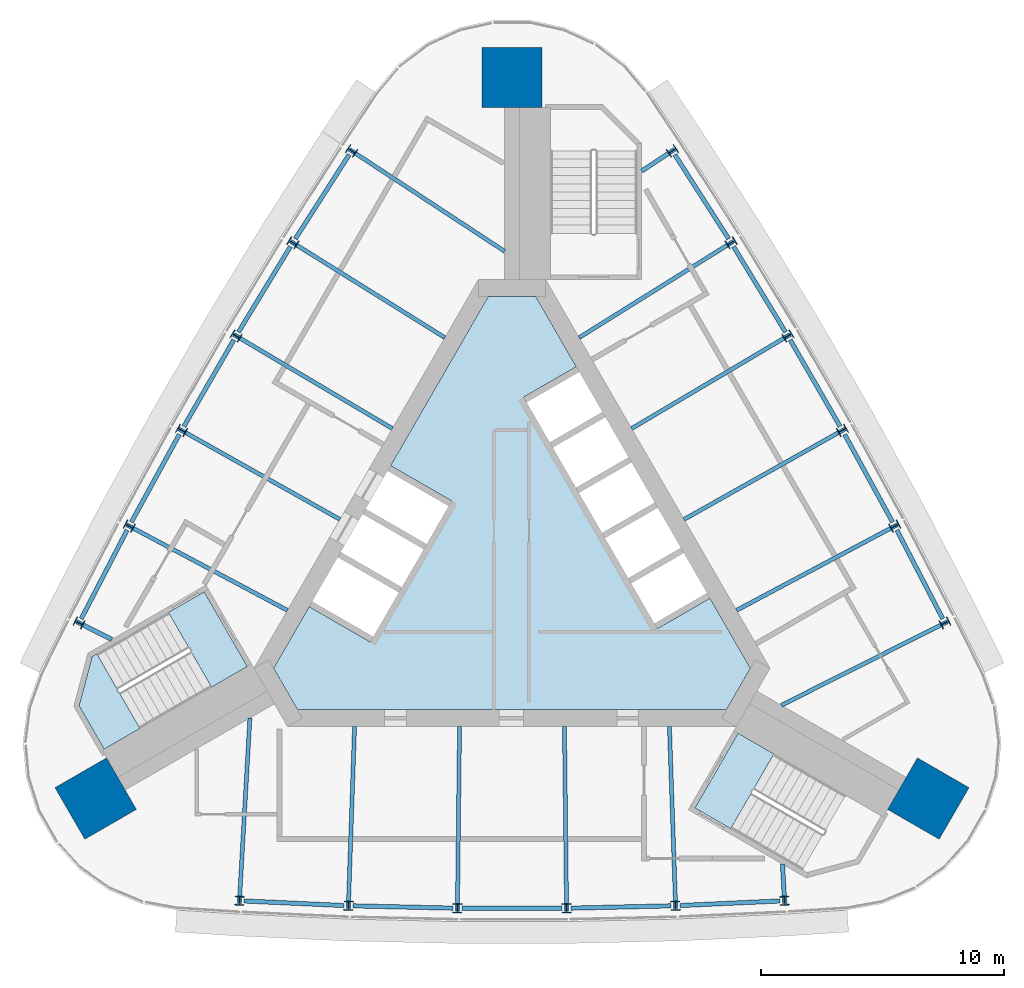
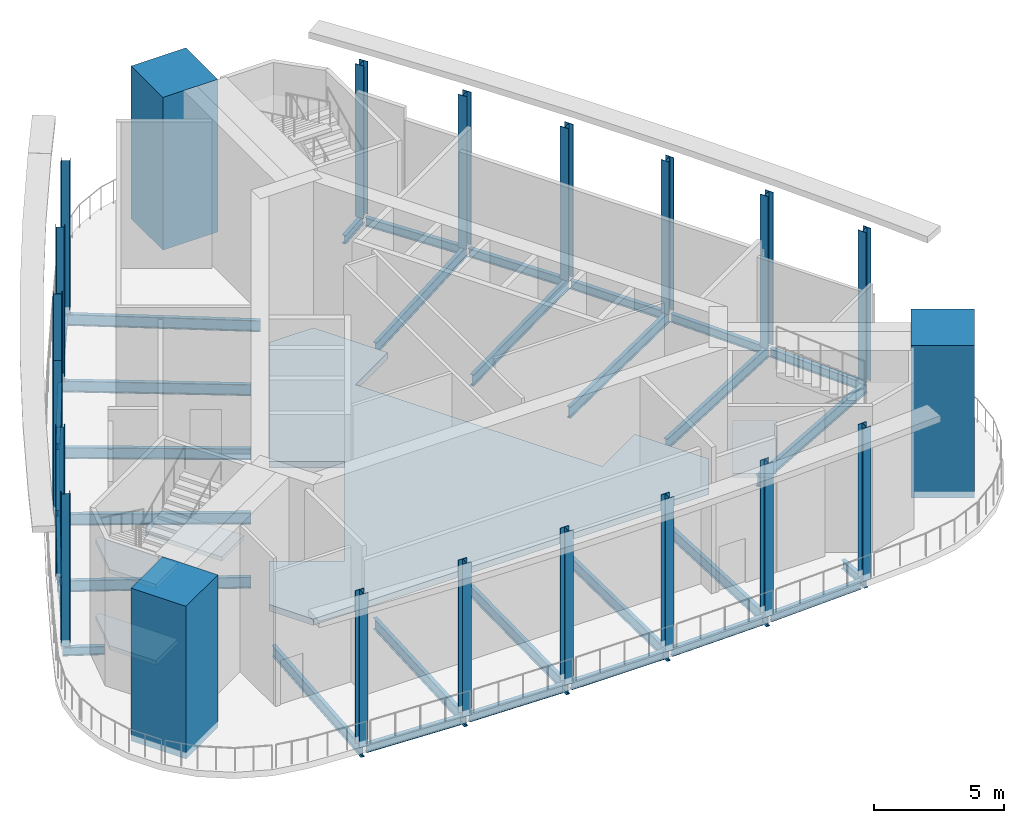
# One storey, part 1 of 7: 33 beams, 21 columns, 5 slabs, 2 elements without a shape of their own.
"""IFC4 building model written with IfcOpenShell, lengths in metres."""

from ifc_helpers import new_model, si_unit, direction, frame, origin, origin_2d, place, context, subcontext, project, spatial, polyline, rectangle, i_section, outline, extrude, material, layer, layer_set, material_profile, profile_set, type_object, element, aggregate, save


model = new_model("IFC4")

# Units and contexts
model_context = context("Model", 3, precision=1e-05, world=origin(), true_north=direction((0.0, 1.0)))
body_context = subcontext(model_context, "Body", "Model", "MODEL_VIEW")
ifc_project = project(units=[si_unit("LENGTHUNIT", "METRE"), si_unit("AREAUNIT", "SQUARE_METRE"), si_unit("VOLUMEUNIT", "CUBIC_METRE"), si_unit("PLANEANGLEUNIT", "RADIAN"), si_unit("MASSUNIT", "GRAM", prefix="KILO")], contexts=[model_context])

# Site, building, storey
site_placement = place(None, origin())
site = spatial("IfcSite", under=ifc_project, at=site_placement, CompositionType="ELEMENT")
building_placement = place(site_placement, origin())
building = spatial("IfcBuilding", under=site, at=building_placement, Name="Noor Cloister Tower", CompositionType="ELEMENT")
storey_placement = place(building_placement, frame((0.0, 0.0, 250.800048828125)))
storey = spatial("IfcBuildingStorey", under=building, at=storey_placement, Name="L65", CompositionType="ELEMENT", Elevation=250.800048828125)

# Columns
ifc_material_1 = material(Name="Steel ASTM A992 Gr 50", Category="steel")
ifc_material_profile_1 = material_profile(ifc_material_1, i_section(OverallWidth=0.373046875, OverallDepth=0.367919921875, WebThickness=0.014892578125, FlangeThickness=0.02392578125, FilletRadius=0.01513671875, at=origin_2d()), Name="W360x179")
ifc_profile_set_1 = profile_set([ifc_material_profile_1], Name="Steel ASTM A992 Gr 50")
column_type_1 = type_object("IfcColumnType", Name="Column W360x179", PredefinedType="COLUMN", material=ifc_profile_set_1)
for number, where, z_axis, x_axis, name in (
    (1, (-6.597412109375, 16.755859375, -0.300048828125), (0.0, 0.0, 1.0), (-0.5487897446, -0.835960415464, 0.0), "Column NW 01 L65"),
    (2, (-9.016845703125, 12.976806640625, -0.300048828125), (0.0, 0.0, 1.0), (-0.529481289862, -0.848321615713, 0.0), "Column NW 02 L65"),
    (3, (-11.348876953125, 9.14306640625, -0.300048828125), (0.0, 0.0, 1.0), (-0.509894531432, -0.860236924815, 0.0), "Column NW 03 L65"),
    (4, (-13.592529296875, 5.2568359375, -0.300048828125), (0.0, 0.0, 1.0), (-0.490039764448, -0.871700079878, 0.0), "Column NW 04 L65"),
    (5, (-15.74658203125, 1.3203125, -0.300048828125), (0.0, 0.0, 1.0), (-0.469927424856, -0.882705055705, 0.0), "Column NW 05 L65"),
    (6, (-17.809814453125, -2.66455078125, -0.300048828125), (0.0, 0.0, 1.0), (-0.44956808405, -0.893246067892, 0.0), "Column NW 06 L65"),
    (7, (-11.21240234375, -14.091552734375, -0.300048828125), (0.0, 0.0, 1.0), (0.99835782865, -0.057285652428, 0.0), "Column S 01 L65"),
    (8, (-6.729736328125, -14.297119140625, -0.300048828125), (0.0, 0.0, 1.0), (0.999408714718, -0.034383439992, 0.0), "Column S 02 L65"),
    (9, (-2.24365234375, -14.39990234375, -0.300048828125), (0.0, 0.0, 1.0), (0.999934295879, -0.011463155063, 0.0), "Column S 03 L65"),
    (10, (2.24365234375, -14.39990234375, -0.300048828125), (0.0, 0.0, 1.0), (0.999934295879, 0.011463155063, 0.0), "Column S 04 L65"),
    (11, (6.729736328125, -14.297119140625, -0.300048828125), (0.0, 0.0, 1.0), (0.999408714718, 0.034383439992, 0.0), "Column S 05 L65"),
    (12, (11.21240234375, -14.091552734375, -0.300048828125), (0.0, 0.0, 1.0), (0.99835782865, 0.057285652428, 0.0), "Column S 06 L65"),
    (13, (17.809814453125, -2.66455078125, -0.300048828125), (0.0, 0.0, 1.0), (-0.44956808405, 0.893246067892, 0.0), "Column NE 01 L65"),
    (14, (15.74658203125, 1.3203125, -0.300048828125), (0.0, 0.0, 1.0), (-0.469927424856, 0.882705055705, 0.0), "Column NE 02 L65"),
    (15, (13.592529296875, 5.2568359375, -0.300048828125), (0.0, 0.0, 1.0), (-0.490039764448, 0.871700079878, 0.0), "Column NE 03 L65"),
    (16, (11.348876953125, 9.14306640625, -0.300048828125), (0.0, 0.0, 1.0), (-0.509894531432, 0.860236924815, 0.0), "Column NE 04 L65"),
    (17, (9.016845703125, 12.976806640625, -0.300048828125), (0.0, 0.0, 1.0), (-0.529481289862, 0.848321615713, 0.0), "Column NE 05 L65"),
    (18, (6.597412109375, 16.755859375, -0.300048828125), (0.0, 0.0, 1.0), (-0.5487897446, 0.835960415464, 0.0), "Column NE 06 L65"),
):
    element("IfcColumn", number, at=place(storey_placement, frame(where, z_axis=z_axis, x_axis=x_axis)), inside=storey, type_object=column_type_1, Name=name, PredefinedType="COLUMN", context=body_context, shape_type="SweptSolid", body=[
        extrude(i_section(OverallWidth=0.373046875, OverallDepth=0.367919921875, WebThickness=0.014892578125, FlangeThickness=0.02392578125, FilletRadius=0.01513671875, at=origin_2d()), origin(), (0.0, 0.0, 1.0), 7.199951171875),
    ])
ifc_material_2 = material(Name="Concrete C60/75", Category="concrete")
ifc_material_profile_2 = material_profile(ifc_material_2, rectangle(XDim=2.449951171875, YDim=2.449951171875, at=origin_2d()), Name="RC 2450x2450")
ifc_profile_set_2 = profile_set([ifc_material_profile_2], Name="Concrete C60/75")
column_type_2 = type_object("IfcColumnType", Name="Corner pier 2450 x 2450 C60/75", PredefinedType="COLUMN", material=ifc_profile_set_2)
for number, where, z_axis, x_axis, name in (
    (19, (0.0, 19.77490234375, -0.300048828125), (0.0, 0.0, 1.0), (0.0, 1.0, 0.0), "Corner pier N L65"),
    (20, (-17.125732421875, -9.887451171875, -0.300048828125), (0.0, 0.0, 1.0), (-0.866025403784, -0.5, 0.0), "Corner pier SW L65"),
    (21, (17.125732421875, -9.887451171875, -0.300048828125), (0.0, 0.0, 1.0), (0.866025403784, -0.5, 0.0), "Corner pier SE L65"),
):
    element("IfcColumn", number, at=place(storey_placement, frame(where, z_axis=z_axis, x_axis=x_axis)), inside=storey, type_object=column_type_2, Name=name, PredefinedType="COLUMN", context=body_context, shape_type="SweptSolid", body=[
        extrude(rectangle(XDim=2.449951171875, YDim=2.449951171875, at=origin_2d()), origin(), (0.0, 0.0, 1.0), 7.199951171875),
    ])

# Beams
ifc_material_3 = material(Name="Steel ASTM A992 Gr 50", Category="steel")
ifc_material_profile_3 = material_profile(ifc_material_3, i_section(OverallWidth=0.177978515625, OverallDepth=0.406005859375, WebThickness=0.0078125, FlangeThickness=0.0126953125, FilletRadius=0.01025390625, at=origin_2d()), Name="W410x60")
ifc_profile_set_3 = profile_set([ifc_material_profile_3], Name="Steel ASTM A992 Gr 50")
beam_type_1 = type_object("IfcBeamType", Name="Radial beam W410x60", PredefinedType="BEAM", material=ifc_profile_set_3)
for number, where, z_axis, x_axis, name in (
    (22, (-17.913330078125, -2.6123046875, -0.5029296875), (0.893252544543, -0.449555215372, 0.0), (0.449555215372, 0.893252544543, 0.0), "Radial beam NW 06 L65"),
    (23, (11.218994140625, -14.207275390625, -0.5029296875), (-0.057225162394, 0.998361297722, 0.0), (-0.998361297722, -0.057225162394, 0.0), "Radial beam S 06 L65"),
):
    element("IfcBeam", number, at=place(storey_placement, frame(where, z_axis=z_axis, x_axis=x_axis)), inside=storey, type_object=beam_type_1, Name=name, PredefinedType="BEAM", context=body_context, shape_type="SweptSolid", body=[
        extrude(i_section(OverallWidth=0.177978515625, OverallDepth=0.406005859375, WebThickness=0.0078125, FlangeThickness=0.0126953125, FilletRadius=0.01025390625, at=origin_2d()), origin(), (0.0, 0.0, 1.0), 1.62548828125),
    ])
beam_1_placement = place(storey_placement, frame((6.6943359375, 16.819580078125, -0.5029296875), z_axis=(-0.835912235929, -0.548863128497, 0.0), x_axis=(0.548863128497, -0.835912235929, 0.0)))
element("IfcBeam", 24, at=beam_1_placement, inside=storey, type_object=beam_type_1, Name="Radial beam NE 06 L65", PredefinedType="BEAM", context=body_context, shape_type="SweptSolid", body=[
    extrude(i_section(OverallWidth=0.177978515625, OverallDepth=0.406005859375, WebThickness=0.0078125, FlangeThickness=0.0126953125, FilletRadius=0.01025390625, at=origin_2d()), origin(), (0.0, 0.0, 1.0), 1.625244140625),
])
ifc_material_4 = material(Name="Steel ASTM A992 Gr 50", Category="steel")
ifc_material_profile_4 = material_profile(ifc_material_4, i_section(OverallWidth=0.166015625, OverallDepth=0.528076171875, WebThickness=0.009765625, FlangeThickness=0.013671875, FilletRadius=0.0126953125, at=origin_2d()), Name="W530x74")
ifc_profile_set_4 = profile_set([ifc_material_profile_4], Name="Steel ASTM A992 Gr 50")
beam_type_2 = type_object("IfcBeamType", Name="Radial beam W530x74", PredefinedType="BEAM", material=ifc_profile_set_4)
beam_2_placement = place(storey_placement, frame((-6.6943359375, 16.819580078125, -0.56396484375), z_axis=(0.835957767318, -0.548793778446, 0.0), x_axis=(0.548793778446, 0.835957767318, 0.0)))
element("IfcBeam", 25, at=beam_2_placement, inside=storey, type_object=beam_type_2, Name="Radial beam NW 01 L65", PredefinedType="BEAM", context=body_context, shape_type="SweptSolid", body=[
    extrude(i_section(OverallWidth=0.166015625, OverallDepth=0.528076171875, WebThickness=0.009765625, FlangeThickness=0.013671875, FilletRadius=0.0126953125, at=origin_2d()), origin(), (0.0, 0.0, 1.0), 7.649169921875),
])
beam_3_placement = place(storey_placement, frame((-9.115234375, 13.0380859375, -0.56396484375), z_axis=(0.848325964039, -0.529474323019, 0.0), x_axis=(0.529474323019, 0.848325964039, 0.0)))
element("IfcBeam", 26, at=beam_3_placement, inside=storey, type_object=beam_type_2, Name="Radial beam NW 02 L65", PredefinedType="BEAM", context=body_context, shape_type="SweptSolid", body=[
    extrude(i_section(OverallWidth=0.166015625, OverallDepth=0.528076171875, WebThickness=0.009765625, FlangeThickness=0.013671875, FilletRadius=0.0126953125, at=origin_2d()), origin(), (0.0, 0.0, 1.0), 7.4892578125),
])
beam_4_placement = place(storey_placement, frame((-11.44873046875, 9.2021484375, -0.56396484375), z_axis=(0.860245540502, -0.509879995732, 0.0), x_axis=(0.509879995732, 0.860245540502, 0.0)))
element("IfcBeam", 27, at=beam_4_placement, inside=storey, type_object=beam_type_2, Name="Radial beam NW 03 L65", PredefinedType="BEAM", context=body_context, shape_type="SweptSolid", body=[
    extrude(i_section(OverallWidth=0.166015625, OverallDepth=0.528076171875, WebThickness=0.009765625, FlangeThickness=0.013671875, FilletRadius=0.0126953125, at=origin_2d()), origin(), (0.0, 0.0, 1.0), 7.58837890625),
])
beam_5_placement = place(storey_placement, frame((-13.693603515625, 5.313720703125, -0.56396484375), z_axis=(0.871696665139, -0.490045838657, 0.0), x_axis=(0.490045838657, 0.871696665139, 0.0)))
element("IfcBeam", 28, at=beam_5_placement, inside=storey, type_object=beam_type_2, Name="Radial beam NW 04 L65", PredefinedType="BEAM", context=body_context, shape_type="SweptSolid", body=[
    extrude(i_section(OverallWidth=0.166015625, OverallDepth=0.528076171875, WebThickness=0.009765625, FlangeThickness=0.013671875, FilletRadius=0.0126953125, at=origin_2d()), origin(), (0.0, 0.0, 1.0), 7.588134765625),
])
beam_6_placement = place(storey_placement, frame((-15.848876953125, 1.375, -0.56396484375), z_axis=(0.882699214966, -0.469938395855, 0.0), x_axis=(0.469938395855, 0.882699214966, 0.0)))
element("IfcBeam", 29, at=beam_6_placement, inside=storey, type_object=beam_type_2, Name="Radial beam NW 05 L65", PredefinedType="BEAM", context=body_context, shape_type="SweptSolid", body=[
    extrude(i_section(OverallWidth=0.166015625, OverallDepth=0.528076171875, WebThickness=0.009765625, FlangeThickness=0.013671875, FilletRadius=0.0126953125, at=origin_2d()), origin(), (0.0, 0.0, 1.0), 7.4892578125),
])
beam_7_placement = place(storey_placement, frame((-11.218994140625, -14.207275390625, -0.56396484375), z_axis=(0.057292483736, 0.998357436646, 0.0), x_axis=(-0.998357436646, 0.057292483736, 0.0)))
element("IfcBeam", 30, at=beam_7_placement, inside=storey, type_object=beam_type_2, Name="Radial beam S 01 L65", PredefinedType="BEAM", context=body_context, shape_type="SweptSolid", body=[
    extrude(i_section(OverallWidth=0.166015625, OverallDepth=0.528076171875, WebThickness=0.009765625, FlangeThickness=0.013671875, FilletRadius=0.0126953125, at=origin_2d()), origin(), (0.0, 0.0, 1.0), 7.64892578125),
])
beam_8_placement = place(storey_placement, frame((-6.733642578125, -14.4130859375, -0.56396484375), z_axis=(0.034358982056, 0.999409555864, 0.0), x_axis=(-0.999409555864, 0.034358982056, 0.0)))
element("IfcBeam", 31, at=beam_8_placement, inside=storey, type_object=beam_type_2, Name="Radial beam S 02 L65", PredefinedType="BEAM", context=body_context, shape_type="SweptSolid", body=[
    extrude(i_section(OverallWidth=0.166015625, OverallDepth=0.528076171875, WebThickness=0.009765625, FlangeThickness=0.013671875, FilletRadius=0.0126953125, at=origin_2d()), origin(), (0.0, 0.0, 1.0), 7.4892578125),
])
for number, where, z_axis, x_axis, name in (
    (32, (-2.244873046875, -14.51611328125, -0.56396484375), (0.011453560118, 0.999934405829, 0.0), (-0.999934405829, 0.011453560118, 0.0), "Radial beam S 03 L65"),
    (33, (2.244873046875, -14.51611328125, -0.56396484375), (-0.011453560118, 0.999934405829, 0.0), (-0.999934405829, -0.011453560118, 0.0), "Radial beam S 04 L65"),
):
    element("IfcBeam", number, at=place(storey_placement, frame(where, z_axis=z_axis, x_axis=x_axis)), inside=storey, type_object=beam_type_2, Name=name, PredefinedType="BEAM", context=body_context, shape_type="SweptSolid", body=[
        extrude(i_section(OverallWidth=0.166015625, OverallDepth=0.528076171875, WebThickness=0.009765625, FlangeThickness=0.013671875, FilletRadius=0.0126953125, at=origin_2d()), origin(), (0.0, 0.0, 1.0), 7.58837890625),
    ])
beam_9_placement = place(storey_placement, frame((6.733642578125, -14.4130859375, -0.56396484375), z_axis=(-0.034358982056, 0.999409555864, 0.0), x_axis=(-0.999409555864, -0.034358982056, 0.0)))
element("IfcBeam", 34, at=beam_9_placement, inside=storey, type_object=beam_type_2, Name="Radial beam S 05 L65", PredefinedType="BEAM", context=body_context, shape_type="SweptSolid", body=[
    extrude(i_section(OverallWidth=0.166015625, OverallDepth=0.528076171875, WebThickness=0.009765625, FlangeThickness=0.013671875, FilletRadius=0.0126953125, at=origin_2d()), origin(), (0.0, 0.0, 1.0), 7.4892578125),
])
beam_10_placement = place(storey_placement, frame((17.913330078125, -2.6123046875, -0.56396484375), z_axis=(-0.893249533682, -0.44956119781, 0.0), x_axis=(0.44956119781, -0.893249533682, 0.0)))
element("IfcBeam", 35, at=beam_10_placement, inside=storey, type_object=beam_type_2, Name="Radial beam NE 01 L65", PredefinedType="BEAM", context=body_context, shape_type="SweptSolid", body=[
    extrude(i_section(OverallWidth=0.166015625, OverallDepth=0.528076171875, WebThickness=0.009765625, FlangeThickness=0.013671875, FilletRadius=0.0126953125, at=origin_2d()), origin(), (0.0, 0.0, 1.0), 7.649169921875),
])
beam_11_placement = place(storey_placement, frame((15.848876953125, 1.375, -0.56396484375), z_axis=(-0.882699214966, -0.469938395855, 0.0), x_axis=(0.469938395855, -0.882699214966, 0.0)))
element("IfcBeam", 36, at=beam_11_placement, inside=storey, type_object=beam_type_2, Name="Radial beam NE 02 L65", PredefinedType="BEAM", context=body_context, shape_type="SweptSolid", body=[
    extrude(i_section(OverallWidth=0.166015625, OverallDepth=0.528076171875, WebThickness=0.009765625, FlangeThickness=0.013671875, FilletRadius=0.0126953125, at=origin_2d()), origin(), (0.0, 0.0, 1.0), 7.4892578125),
])
beam_12_placement = place(storey_placement, frame((13.693603515625, 5.313720703125, -0.56396484375), z_axis=(-0.871696665139, -0.490045838657, 0.0), x_axis=(0.490045838657, -0.871696665139, 0.0)))
element("IfcBeam", 37, at=beam_12_placement, inside=storey, type_object=beam_type_2, Name="Radial beam NE 03 L65", PredefinedType="BEAM", context=body_context, shape_type="SweptSolid", body=[
    extrude(i_section(OverallWidth=0.166015625, OverallDepth=0.528076171875, WebThickness=0.009765625, FlangeThickness=0.013671875, FilletRadius=0.0126953125, at=origin_2d()), origin(), (0.0, 0.0, 1.0), 7.588134765625),
])
beam_13_placement = place(storey_placement, frame((11.44873046875, 9.2021484375, -0.56396484375), z_axis=(-0.860245540502, -0.509879995732, 0.0), x_axis=(0.509879995732, -0.860245540502, 0.0)))
element("IfcBeam", 38, at=beam_13_placement, inside=storey, type_object=beam_type_2, Name="Radial beam NE 04 L65", PredefinedType="BEAM", context=body_context, shape_type="SweptSolid", body=[
    extrude(i_section(OverallWidth=0.166015625, OverallDepth=0.528076171875, WebThickness=0.009765625, FlangeThickness=0.013671875, FilletRadius=0.0126953125, at=origin_2d()), origin(), (0.0, 0.0, 1.0), 7.58837890625),
])
beam_14_placement = place(storey_placement, frame((9.115234375, 13.0380859375, -0.56396484375), z_axis=(-0.848325964039, -0.529474323019, 0.0), x_axis=(0.529474323019, -0.848325964039, 0.0)))
element("IfcBeam", 39, at=beam_14_placement, inside=storey, type_object=beam_type_2, Name="Radial beam NE 05 L65", PredefinedType="BEAM", context=body_context, shape_type="SweptSolid", body=[
    extrude(i_section(OverallWidth=0.166015625, OverallDepth=0.528076171875, WebThickness=0.009765625, FlangeThickness=0.013671875, FilletRadius=0.0126953125, at=origin_2d()), origin(), (0.0, 0.0, 1.0), 7.4892578125),
])
ifc_material_5 = material(Name="Steel ASTM A992 Gr 50", Category="steel")
ifc_material_profile_5 = material_profile(ifc_material_5, i_section(OverallWidth=0.177978515625, OverallDepth=0.406005859375, WebThickness=0.0078125, FlangeThickness=0.0126953125, FilletRadius=0.01025390625, at=origin_2d()), Name="W410x60")
ifc_profile_set_5 = profile_set([ifc_material_profile_5], Name="Steel ASTM A992 Gr 50")
beam_type_3 = type_object("IfcBeamType", Name="Spandrel beam W410x60", PredefinedType="SPANDREL", material=ifc_profile_set_5)
for number, where, z_axis, x_axis, name in (
    (40, (-6.697998046875, 16.598876953125, -0.5029296875), (-0.539158091967, -0.842204578393, 0.0), (0.842204578393, -0.539158091967, 0.0), "Spandrel beam NW 01 L65"),
    (41, (-9.11376953125, 12.8173828125, -0.5029296875), (-0.519713490012, -0.854340616089, 0.0), (0.854340616089, -0.519713490012, 0.0), "Spandrel beam NW 02 L65"),
    (42, (-11.442138671875, 8.9814453125, -0.5029296875), (-0.50000668347, -0.866021545047, 0.0), (0.866021545047, -0.50000668347, 0.0), "Spandrel beam NW 03 L65"),
):
    element("IfcBeam", number, at=place(storey_placement, frame(where, z_axis=z_axis, x_axis=x_axis)), inside=storey, type_object=beam_type_3, Name=name, PredefinedType="SPANDREL", context=body_context, shape_type="SweptSolid", body=[
        extrude(i_section(OverallWidth=0.177978515625, OverallDepth=0.406005859375, WebThickness=0.0078125, FlangeThickness=0.0126953125, FilletRadius=0.01025390625, at=origin_2d()), origin(), (0.0, 0.0, 1.0), 4.1142578125),
    ])
beam_15_placement = place(storey_placement, frame((-13.68212890625, 5.09326171875, -0.5029296875), z_axis=(-0.480020032196, -0.877257527007, 0.0), x_axis=(0.877257527007, -0.480020032196, 0.0)))
element("IfcBeam", 43, at=beam_15_placement, inside=storey, type_object=beam_type_3, Name="Spandrel beam NW 04 L65", PredefinedType="SPANDREL", context=body_context, shape_type="SweptSolid", body=[
    extrude(i_section(OverallWidth=0.177978515625, OverallDepth=0.406005859375, WebThickness=0.0078125, FlangeThickness=0.0126953125, FilletRadius=0.01025390625, at=origin_2d()), origin(), (0.0, 0.0, 1.0), 4.114013671875),
])
beam_16_placement = place(storey_placement, frame((-15.832275390625, 1.15478515625, -0.5029296875), z_axis=(-0.459773194778, -0.888036378401, 0.0), x_axis=(0.888036378401, -0.459773194778, 0.0)))
element("IfcBeam", 44, at=beam_16_placement, inside=storey, type_object=beam_type_3, Name="Spandrel beam NW 05 L65", PredefinedType="SPANDREL", context=body_context, shape_type="SweptSolid", body=[
    extrude(i_section(OverallWidth=0.177978515625, OverallDepth=0.406005859375, WebThickness=0.0078125, FlangeThickness=0.0126953125, FilletRadius=0.01025390625, at=origin_2d()), origin(), (0.0, 0.0, 1.0), 4.1142578125),
])
beam_17_placement = place(storey_placement, frame((-11.026123046875, -14.10009765625, -0.5029296875), z_axis=(0.998950230186, -0.045808706724, 0.0), x_axis=(0.045808706724, 0.998950230186, 0.0)))
element("IfcBeam", 45, at=beam_17_placement, inside=storey, type_object=beam_type_3, Name="Spandrel beam S 01 L65", PredefinedType="SPANDREL", context=body_context, shape_type="SweptSolid", body=[
    extrude(i_section(OverallWidth=0.177978515625, OverallDepth=0.406005859375, WebThickness=0.0078125, FlangeThickness=0.0126953125, FilletRadius=0.01025390625, at=origin_2d()), origin(), (0.0, 0.0, 1.0), 4.114501953125),
])
beam_18_placement = place(storey_placement, frame((-6.543212890625, -14.301513671875, -0.5029296875), z_axis=(0.999737621339, -0.02290607953, 0.0), x_axis=(0.02290607953, 0.999737621339, 0.0)))
element("IfcBeam", 46, at=beam_18_placement, inside=storey, type_object=beam_type_3, Name="Spandrel beam S 02 L65", PredefinedType="SPANDREL", context=body_context, shape_type="SweptSolid", body=[
    extrude(i_section(OverallWidth=0.177978515625, OverallDepth=0.406005859375, WebThickness=0.0078125, FlangeThickness=0.0126953125, FilletRadius=0.01025390625, at=origin_2d()), origin(), (0.0, 0.0, 1.0), 4.114013671875),
])
beam_19_placement = place(storey_placement, frame((-2.05712890625, -14.39990234375, -0.5029296875), z_axis=(1.0, 0.0, 0.0), x_axis=(0.0, 1.0, 0.0)))
element("IfcBeam", 47, at=beam_19_placement, inside=storey, type_object=beam_type_3, Name="Spandrel beam S 03 L65", PredefinedType="SPANDREL", context=body_context, shape_type="SweptSolid", body=[
    extrude(i_section(OverallWidth=0.177978515625, OverallDepth=0.406005859375, WebThickness=0.0078125, FlangeThickness=0.0126953125, FilletRadius=0.01025390625, at=origin_2d()), origin(), (0.0, 0.0, 1.0), 4.1142578125),
])
beam_20_placement = place(storey_placement, frame((2.43017578125, -14.395751953125, -0.5029296875), z_axis=(0.999737621339, 0.02290607953, 0.0), x_axis=(-0.02290607953, 0.999737621339, 0.0)))
element("IfcBeam", 48, at=beam_20_placement, inside=storey, type_object=beam_type_3, Name="Spandrel beam S 04 L65", PredefinedType="SPANDREL", context=body_context, shape_type="SweptSolid", body=[
    extrude(i_section(OverallWidth=0.177978515625, OverallDepth=0.406005859375, WebThickness=0.0078125, FlangeThickness=0.0126953125, FilletRadius=0.01025390625, at=origin_2d()), origin(), (0.0, 0.0, 1.0), 4.114013671875),
])
beam_21_placement = place(storey_placement, frame((6.916015625, -14.28857421875, -0.5029296875), z_axis=(0.998950230186, 0.045808706724, 0.0), x_axis=(-0.045808706724, 0.998950230186, 0.0)))
element("IfcBeam", 49, at=beam_21_placement, inside=storey, type_object=beam_type_3, Name="Spandrel beam S 05 L65", PredefinedType="SPANDREL", context=body_context, shape_type="SweptSolid", body=[
    extrude(i_section(OverallWidth=0.177978515625, OverallDepth=0.406005859375, WebThickness=0.0078125, FlangeThickness=0.0126953125, FilletRadius=0.01025390625, at=origin_2d()), origin(), (0.0, 0.0, 1.0), 4.114501953125),
])
beam_22_placement = place(storey_placement, frame((17.723876953125, -2.498779296875, -0.5029296875), z_axis=(-0.459773194778, 0.888036378401, 0.0), x_axis=(-0.888036378401, -0.459773194778, 0.0)))
element("IfcBeam", 50, at=beam_22_placement, inside=storey, type_object=beam_type_3, Name="Spandrel beam NE 01 L65", PredefinedType="SPANDREL", context=body_context, shape_type="SweptSolid", body=[
    extrude(i_section(OverallWidth=0.177978515625, OverallDepth=0.406005859375, WebThickness=0.0078125, FlangeThickness=0.0126953125, FilletRadius=0.01025390625, at=origin_2d()), origin(), (0.0, 0.0, 1.0), 4.1142578125),
])
beam_23_placement = place(storey_placement, frame((15.656982421875, 1.484130859375, -0.5029296875), z_axis=(-0.480020032196, 0.877257527007, 0.0), x_axis=(-0.877257527007, -0.480020032196, 0.0)))
element("IfcBeam", 51, at=beam_23_placement, inside=storey, type_object=beam_type_3, Name="Spandrel beam NE 02 L65", PredefinedType="SPANDREL", context=body_context, shape_type="SweptSolid", body=[
    extrude(i_section(OverallWidth=0.177978515625, OverallDepth=0.406005859375, WebThickness=0.0078125, FlangeThickness=0.0126953125, FilletRadius=0.01025390625, at=origin_2d()), origin(), (0.0, 0.0, 1.0), 4.114013671875),
])
for number, where, z_axis, x_axis, name in (
    (52, (13.499267578125, 5.41845703125, -0.5029296875), (-0.50000668347, 0.866021545047, 0.0), (-0.866021545047, -0.50000668347, 0.0), "Spandrel beam NE 03 L65"),
    (53, (11.251953125, 9.302490234375, -0.5029296875), (-0.519713490012, 0.854340616089, 0.0), (-0.854340616089, -0.519713490012, 0.0), "Spandrel beam NE 04 L65"),
    (54, (8.916259765625, 13.1337890625, -0.5029296875), (-0.539158091967, 0.842204578393, 0.0), (-0.842204578393, -0.539158091967, 0.0), "Spandrel beam NE 05 L65"),
):
    element("IfcBeam", number, at=place(storey_placement, frame(where, z_axis=z_axis, x_axis=x_axis)), inside=storey, type_object=beam_type_3, Name=name, PredefinedType="SPANDREL", context=body_context, shape_type="SweptSolid", body=[
        extrude(i_section(OverallWidth=0.177978515625, OverallDepth=0.406005859375, WebThickness=0.0078125, FlangeThickness=0.0126953125, FilletRadius=0.01025390625, at=origin_2d()), origin(), (0.0, 0.0, 1.0), 4.1142578125),
    ])

# Slab
ifc_material_6 = material(Name="Concrete C40/50", Category="concrete")
ifc_layer_1 = layer(ifc_material_6, 0.300048828125)
ifc_layer_set_1 = layer_set([ifc_layer_1], Name="Core floor slab 300 C40/50")
slab_type_1 = type_object("IfcSlabType", Name="Core floor slab 300 C40/50", PredefinedType="FLOOR", material=ifc_layer_set_1)
slab_1_placement = place(storey_placement, frame((0.0, 0.0, -0.300048828125)))
element("IfcSlab", 55, at=slab_1_placement, inside=storey, type_object=slab_type_1, Name="Core floor L65", PredefinedType="FLOOR", context=body_context, shape_type="SweptSolid", body=[
    extrude(outline(polyline([(2.643798828125, 7.877197265625), (0.9814453125, 10.75634765625), (-0.9814453125, 10.75634765625), (-4.993896484375, 3.806884765625), (-2.482421875, 2.35693359375), (-5.832275390625, -3.4453125), (-8.34375, -1.995361328125), (-9.80615234375, -4.5283203125), (-8.82470703125, -6.228271484375), (8.82470703125, -6.228271484375), (9.80615234375, -4.5283203125), (8.143798828125, -1.64892578125), (5.978759765625, -2.89892578125), (0.478759765625, 6.627197265625), (2.643798828125, 7.877197265625)])), origin(), (0.0, 0.0, 1.0), 0.300048828125),
])

# Stair, slabs
ifc_material_7 = material(Name="Concrete C40/50", Category="concrete")
stair_type = type_object("IfcStairType", Name="Exit stair 44 risers", PredefinedType="HALF_TURN_STAIR", material=ifc_material_7)
stair_1_placement = place(storey_placement, origin())
stair_1 = element("IfcStair", 56, at=stair_1_placement, inside=storey, type_object=stair_type, Name="Exit stair ST2 L65", PredefinedType="HALF_TURN_STAIR")
ifc_material_8 = material(Name="Concrete C40/50", Category="concrete")
ifc_layer_2 = layer(ifc_material_8, 0.199951171875)
ifc_layer_set_2 = layer_set([ifc_layer_2], Name="Stair landing 200 C40/50")
slab_type_2 = type_object("IfcSlabType", Name="Stair landing 200 C40/50", PredefinedType="LANDING", material=ifc_layer_set_2)
slab_2_placement = place(storey_placement, frame((0.0, 0.0, 1.599853515625)))
slab_2 = element("IfcSlab", 57, at=slab_2_placement, type_object=slab_type_2, Name="ST2 landing 1", PredefinedType="LANDING", context=body_context, shape_type="SweptSolid", body=[
    extrude(outline(polyline([(-17.078857421875, -3.930419921875), (-17.267333984375, -4.039306640625), (-17.81005859375, -6.064697265625), (-16.776611328125, -7.85498046875), (-15.3037109375, -7.004638671875), (-17.078857421875, -3.930419921875)])), origin(), (0.0, 0.0, 1.0), 0.2001953125),
])
slab_3_placement = place(storey_placement, frame((0.0, 0.0, 3.39990234375)))
slab_3 = element("IfcSlab", 58, at=slab_3_placement, type_object=slab_type_2, Name="ST2 landing 2", PredefinedType="LANDING", context=body_context, shape_type="SweptSolid", body=[
    extrude(outline(polyline([(-12.3603515625, -5.305419921875), (-10.8876953125, -4.455078125), (-12.66259765625, -1.380615234375), (-14.13525390625, -2.23095703125), (-12.3603515625, -5.305419921875)])), origin(), (0.0, 0.0, 1.0), 0.199951171875),
])
slab_4_placement = place(storey_placement, frame((0.0, 0.0, 5.199951171875)))
slab_4 = element("IfcSlab", 59, at=slab_4_placement, type_object=slab_type_2, Name="ST2 landing 3", PredefinedType="LANDING", context=body_context, shape_type="SweptSolid", body=[
    extrude(outline(polyline([(-17.078857421875, -3.930419921875), (-17.267333984375, -4.039306640625), (-17.81005859375, -6.064697265625), (-16.776611328125, -7.85498046875), (-15.3037109375, -7.004638671875), (-17.078857421875, -3.930419921875)])), origin(), (0.0, 0.0, 1.0), 0.199951171875),
])
aggregate(stair_1, [slab_2, slab_3, slab_4])

# Stair, slab
stair_2_placement = place(storey_placement, origin())
stair_2 = element("IfcStair", 60, at=stair_2_placement, inside=storey, type_object=stair_type, Name="Exit stair ST3 L65", PredefinedType="HALF_TURN_STAIR")
slab_5_placement = place(storey_placement, frame((0.0, 0.0, 3.39990234375)))
slab_5 = element("IfcSlab", 61, at=slab_5_placement, type_object=slab_type_2, Name="ST3 landing 2", PredefinedType="LANDING", context=body_context, shape_type="SweptSolid", body=[
    extrude(outline(polyline([(10.774658203125, -8.0517578125), (9.302001953125, -7.201416015625), (7.52685546875, -10.27587890625), (8.999755859375, -11.126220703125), (10.774658203125, -8.0517578125)])), origin(), (0.0, 0.0, 1.0), 0.199951171875),
])
aggregate(stair_2, [slab_5])

save(model, "model.ifc")
